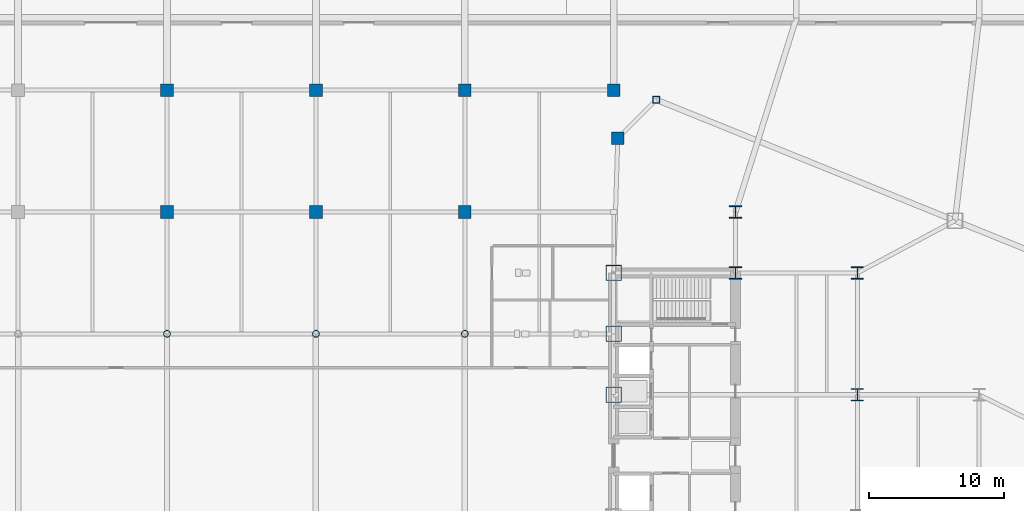
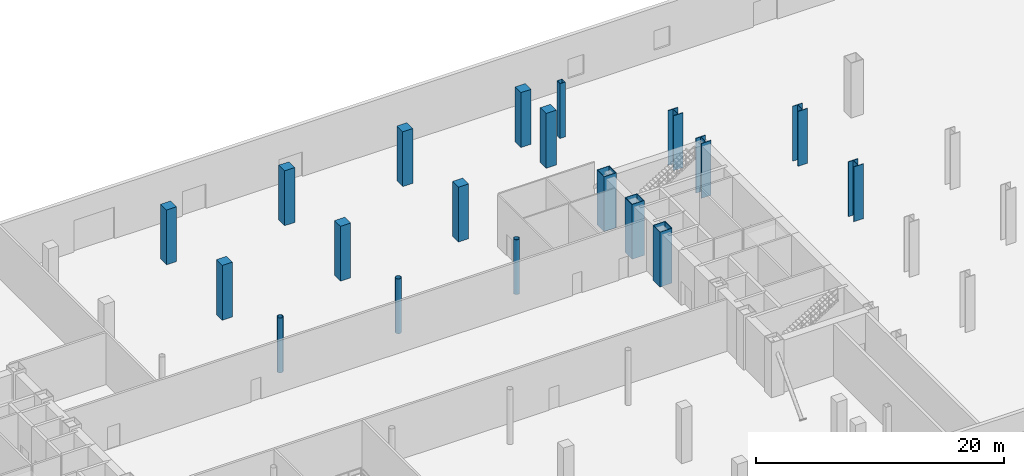
# One storey, part 5 of 21: 19 columns.
"""IFC4 building model written with IfcOpenShell, lengths in metres."""

from ifc_helpers import new_model, si_unit, direction, frame, origin, origin_2d, place, context, subcontext, project, spatial, rectangle, hollow_rectangle, hollow_circle, i_section, extrude, source, transform, mapped, material, material_profile, profile_set, type_object, type_shapes, element, save


model = new_model("IFC4")

# Units and contexts
model_context = context("Model", 3, precision=1e-05, world=origin(), true_north=direction((0.0, 1.0)))
body_context = subcontext(model_context, "Body", "Model", "MODEL_VIEW")
ifc_project = project(units=[si_unit("LENGTHUNIT", "METRE"), si_unit("AREAUNIT", "SQUARE_METRE"), si_unit("VOLUMEUNIT", "CUBIC_METRE"), si_unit("PLANEANGLEUNIT", "RADIAN"), si_unit("MASSUNIT", "GRAM", prefix="KILO")], contexts=[model_context])

# Site, building, storey
site_placement = place(None, origin())
site = spatial("IfcSite", under=ifc_project, at=site_placement, CompositionType="ELEMENT")
building_placement = place(site_placement, origin())
building = spatial("IfcBuilding", under=site, at=building_placement, Name="Seokmaru Belvedere", CompositionType="ELEMENT")
storey_placement = place(building_placement, origin())
storey = spatial("IfcBuildingStorey", under=building, at=storey_placement, Name="L00", CompositionType="ELEMENT", Elevation=0.0)

# Columns
ifc_material_1 = material(Name="Steel HSA650 (650 MPa)", Category="steel")
ifc_material_profile_1 = material_profile(ifc_material_1, hollow_rectangle(XDim=1.14990234375, YDim=1.14990234375, WallThickness=0.048095703125, at=origin_2d()), Name="BOX-1150x1150x48")
ifc_profile_set_1 = profile_set([ifc_material_profile_1], Name="Steel HSA650 (650 MPa)")
column_type_1 = type_object("IfcColumnType", Name="Portal Spine Column BOX-1150", PredefinedType="COLUMN", material=ifc_profile_set_1)
shared_shape_1 = source(origin(), body_context, "Body", "SweptSolid", [
    extrude(hollow_rectangle(XDim=1.14990234375, YDim=1.14990234375, WallThickness=0.048095703125, at=origin_2d()), origin(), (0.0, 0.0, 1.0), 5.39990234375),
])
type_shapes(column_type_1, [shared_shape_1])
for number, where, z_axis, x_axis, name in (
    (1, (27.5, 4.5, 0.0), (0.0, 0.0, 1.0), (1.0, 0.0, 0.0), "L00 Column ES4"),
    (2, (27.5, 9.0, 0.0), (0.0, 0.0, 1.0), (1.0, 0.0, 0.0), "L00 Column ES5"),
    (3, (27.5, 13.5, 0.0), (0.0, 0.0, 1.0), (1.0, 0.0, 0.0), "L00 Column ES6"),
):
    element("IfcColumn", number, at=place(storey_placement, frame(where, z_axis=z_axis, x_axis=x_axis)), inside=storey, type_object=column_type_1, Name=name, PredefinedType="COLUMN", context=body_context, shape_type="MappedRepresentation", body=[
        mapped(shared_shape_1, transform((0.0, 0.0, 0.0), scale=1.0)),
    ])
ifc_material_2 = material(Name="Concrete C50 (50 MPa)", Category="concrete")
ifc_material_profile_2 = material_profile(ifc_material_2, rectangle(XDim=0.949951171875, YDim=0.949951171875, at=origin_2d()), Name="RC-950x950")
ifc_profile_set_2 = profile_set([ifc_material_profile_2], Name="Concrete C50 (50 MPa)")
column_type_2 = type_object("IfcColumnType", Name="Podium Substructure Column RC-950", PredefinedType="COLUMN", material=ifc_profile_set_2)
shared_shape_2 = source(origin(), body_context, "Body", "SweptSolid", [
    extrude(rectangle(XDim=0.949951171875, YDim=0.949951171875, at=origin_2d()), origin(), (0.0, 0.0, 1.0), 5.39990234375),
])
type_shapes(column_type_2, [shared_shape_2])
for number, where, z_axis, x_axis, name in (
    (4, (27.5, 27.0, 0.0), (0.0, 0.0, 1.0), (1.0, 0.0, 0.0), "L00 Column EPS2"),
    (5, (27.800048828125, 23.451416015625, 0.0), (0.0, 0.0, 1.0), (1.0, 0.0, 0.0), "L00 Column EPM_N"),
    (6, (-5.5, 18.0, 0.0), (0.0, 0.0, 1.0), (1.0, 0.0, 0.0), "L00 Column CP2_5"),
    (7, (-5.5, 27.0, 0.0), (0.0, 0.0, 1.0), (1.0, 0.0, 0.0), "L00 Column CP2_6"),
    (8, (5.5, 18.0, 0.0), (0.0, 0.0, 1.0), (1.0, 0.0, 0.0), "L00 Column CP3_5"),
    (9, (5.5, 27.0, 0.0), (0.0, 0.0, 1.0), (1.0, 0.0, 0.0), "L00 Column CP3_6"),
    (10, (16.5, 18.0, 0.0), (0.0, 0.0, 1.0), (1.0, 0.0, 0.0), "L00 Column CP4_5"),
    (11, (16.5, 27.0, 0.0), (0.0, 0.0, 1.0), (1.0, 0.0, 0.0), "L00 Column CP4_6"),
):
    element("IfcColumn", number, at=place(storey_placement, frame(where, z_axis=z_axis, x_axis=x_axis)), inside=storey, type_object=column_type_2, Name=name, PredefinedType="COLUMN", context=body_context, shape_type="MappedRepresentation", body=[
        mapped(shared_shape_2, transform((0.0, 0.0, 0.0), scale=1.0)),
    ])
ifc_material_profile_3 = material_profile(ifc_material_1, i_section(OverallWidth=0.89990234375, OverallDepth=0.89990234375, WebThickness=0.035888671875, FlangeThickness=0.054931640625, at=origin_2d()), Name="H-900x900x36x55")
ifc_profile_set_3 = profile_set([ifc_material_profile_3], Name="Steel HSA650 (650 MPa)")
column_type_3 = type_object("IfcColumnType", Name="Lower Interior Column H-900", PredefinedType="COLUMN", material=ifc_profile_set_3)
shared_shape_3 = source(origin(), body_context, "Body", "SweptSolid", [
    extrude(i_section(OverallWidth=0.89990234375, OverallDepth=0.89990234375, WebThickness=0.035888671875, FlangeThickness=0.054931640625, at=origin_2d()), origin(), (0.0, 0.0, 1.0), 5.39990234375),
])
type_shapes(column_type_3, [shared_shape_3])
for number, where, z_axis, x_axis, name in (
    (12, (36.5, 13.5, 0.0), (0.0, 0.0, 1.0), (1.0, 0.0, 0.0), "L00 Column EC3"),
    (13, (36.5, 18.0, 0.0), (0.0, 0.0, 1.0), (1.0, 0.0, 0.0), "L00 Column EC4"),
    (14, (45.5, 4.5, 0.0), (0.0, 0.0, 1.0), (1.0, 0.0, 0.0), "L00 Column EG5_3"),
    (15, (45.5, 13.5, 0.0), (0.0, 0.0, 1.0), (1.0, 0.0, 0.0), "L00 Column EG5_4"),
):
    element("IfcColumn", number, at=place(storey_placement, frame(where, z_axis=z_axis, x_axis=x_axis)), inside=storey, type_object=column_type_3, Name=name, PredefinedType="COLUMN", context=body_context, shape_type="MappedRepresentation", body=[
        mapped(shared_shape_3, transform((0.0, 0.0, 0.0), scale=1.0)),
    ])
ifc_material_3 = material(Name="Steel SM355 (355 MPa)", Category="steel")
ifc_material_profile_4 = material_profile(ifc_material_3, hollow_rectangle(XDim=0.5, YDim=0.5, WallThickness=0.02001953125, at=origin_2d()), Name="HSS-500x500x20")
ifc_profile_set_4 = profile_set([ifc_material_profile_4], Name="Steel SM355 (355 MPa)")
column_type_4 = type_object("IfcColumnType", Name="Perimeter Facet Column HSS-500", PredefinedType="COLUMN", material=ifc_profile_set_4)
shared_shape_4 = source(origin(), body_context, "Body", "SweptSolid", [
    extrude(hollow_rectangle(XDim=0.5, YDim=0.5, WallThickness=0.02001953125, at=origin_2d()), origin(), (0.0, 0.0, 1.0), 5.39990234375),
])
type_shapes(column_type_4, [shared_shape_4])
column_placement = place(storey_placement, frame((30.643310546875, 26.294677734375, 0.0), z_axis=(0.0, 0.0, 1.0), x_axis=(1.0, 0.0, 0.0)))
element("IfcColumn", 16, at=column_placement, inside=storey, type_object=column_type_4, Name="L00 Column EF4", PredefinedType="COLUMN", context=body_context, shape_type="MappedRepresentation", body=[
    mapped(shared_shape_4, transform((0.0, 0.0, 0.0), scale=1.0)),
])
ifc_material_profile_5 = material_profile(ifc_material_3, hollow_circle(Radius=0.25390625, WallThickness=0.01904296875, at=origin_2d()), Name="CHS-508.0x19.0")
ifc_profile_set_5 = profile_set([ifc_material_profile_5], Name="Steel SM355 (355 MPa)")
column_type_5 = type_object("IfcColumnType", Name="Concourse Feature Column CHS-508", PredefinedType="COLUMN", material=ifc_profile_set_5)
shared_shape_5 = source(origin(), body_context, "Body", "SweptSolid", [
    extrude(hollow_circle(Radius=0.25390625, WallThickness=0.01904296875, at=origin_2d()), origin(), (0.0, 0.0, 1.0), 5.39990234375),
])
type_shapes(column_type_5, [shared_shape_5])
for number, where, z_axis, x_axis, name in (
    (17, (-5.5, 9.0, 0.0), (0.0, 0.0, 1.0), (1.0, 0.0, 0.0), "L00 Column CP2_4"),
    (18, (5.5, 9.0, 0.0), (0.0, 0.0, 1.0), (1.0, 0.0, 0.0), "L00 Column CP3_4"),
    (19, (16.5, 9.0, 0.0), (0.0, 0.0, 1.0), (1.0, 0.0, 0.0), "L00 Column CP4_4"),
):
    element("IfcColumn", number, at=place(storey_placement, frame(where, z_axis=z_axis, x_axis=x_axis)), inside=storey, type_object=column_type_5, Name=name, PredefinedType="COLUMN", context=body_context, shape_type="MappedRepresentation", body=[
        mapped(shared_shape_5, transform((0.0, 0.0, 0.0), scale=1.0)),
    ])

save(model, "model.ifc")
